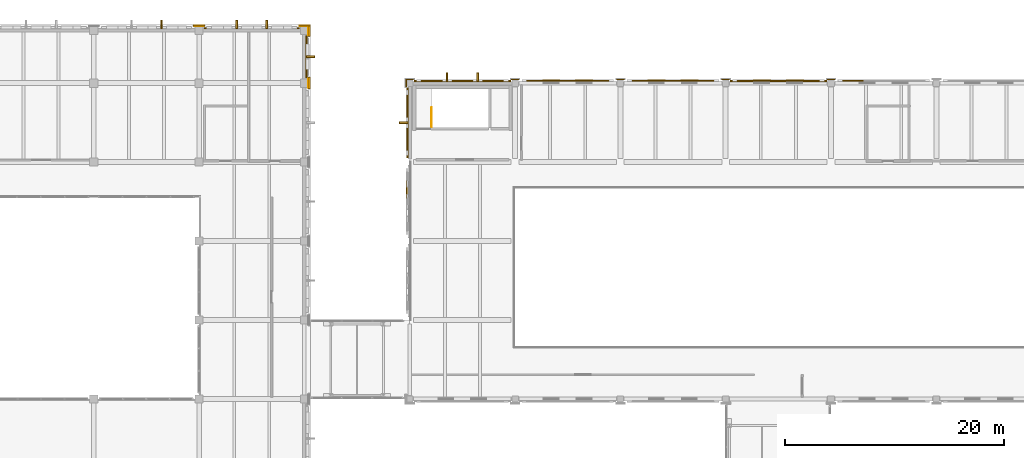
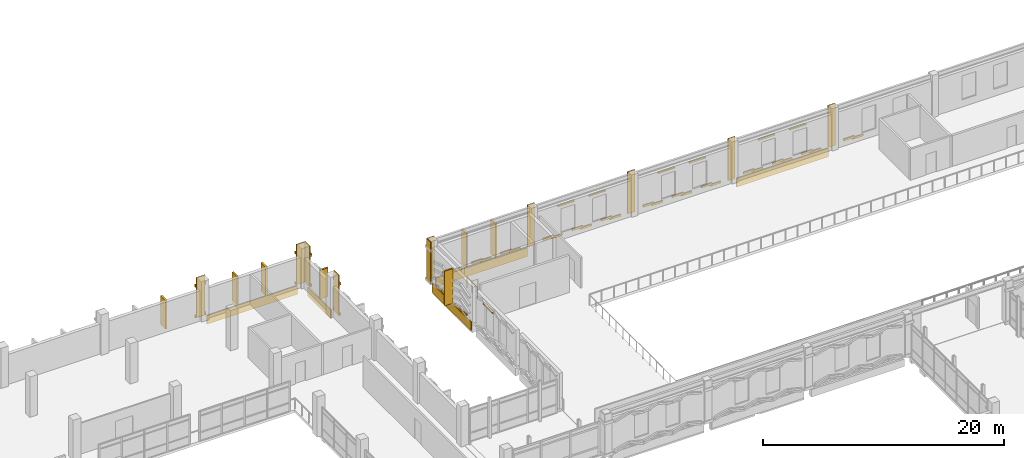
# One storey, part 175 of 180: 67 coverings, 1 railing.
"""IFC4 building model written with IfcOpenShell, lengths in metres."""

from ifc_helpers import new_model, si_unit, direction, frame, origin, origin_2d, place, context, subcontext, project, spatial, rectangle, circle, extrude, material, layer, layer_set, type_object, element, save


model = new_model("IFC4")

# Units and contexts
model_context = context("Model", 3, precision=1e-05, world=origin(), true_north=direction((0.0, 1.0)))
body_context = subcontext(model_context, "Body", "Model", "MODEL_VIEW")
ifc_project = project(units=[si_unit("LENGTHUNIT", "METRE"), si_unit("AREAUNIT", "SQUARE_METRE"), si_unit("VOLUMEUNIT", "CUBIC_METRE"), si_unit("PLANEANGLEUNIT", "RADIAN"), si_unit("MASSUNIT", "GRAM", prefix="KILO")], contexts=[model_context])

# Site, building, storey
site_placement = place(None, origin())
site = spatial("IfcSite", under=ifc_project, at=site_placement, CompositionType="ELEMENT")
building_placement = place(site_placement, origin())
building = spatial("IfcBuilding", under=site, at=building_placement, Name="Asteropetra Specialist Clinic", CompositionType="ELEMENT")
storey_placement = place(building_placement, frame((0.0, 0.0, 4.419921875)))
storey = spatial("IfcBuildingStorey", under=building, at=storey_placement, Name="L01", CompositionType="ELEMENT", Elevation=4.419921875)

# Coverings
ifc_material_1 = material(Name="Chevron terracotta deep", Category="masonry")
ifc_layer_1 = layer(ifc_material_1, 0.1201171875)
ifc_layer_set_1 = layer_set([ifc_layer_1], Name="Chevron terracotta deep")
covering_type_1 = type_object("IfcCoveringType", Name="CLD-TER-DEEP", PredefinedType="CLADDING", material=ifc_layer_set_1)
covering_1_placement = place(storey_placement, frame((91.199951171875, 105.800048828125, -0.7998046875), z_axis=(0.0, 0.0, 1.0), x_axis=(1.0, 0.0, 0.0)))
element("IfcCovering", 1, at=covering_1_placement, inside=storey, type_object=covering_type_1, Name="Chevron Spandrel Band CV-1212", PredefinedType="CLADDING", context=body_context, shape_type="SweptSolid", body=[
    extrude(rectangle(XDim=8.800048828125, YDim=0.1201171875, at=origin_2d()), origin(), (0.0, 0.0, 1.0), 0.8798828125),
])
for number, where, z_axis, x_axis, name in (
    (2, (94.398681640625, 105.81494140625, 0.1201171875), (0.0, 0.0, 1.0), (1.0, 0.0, 0.0), "Chevron Ceramic Band CV-1213"),
    (3, (93.57470703125, 105.81494140625, 0.26025390625), (0.0, 0.0, 1.0), (1.0, 0.0, 0.0), "Chevron Ceramic Band CV-1214"),
    (4, (91.612060546875, 105.81494140625, 0.1201171875), (0.0, 0.0, 1.0), (1.0, 0.0, 0.0), "Chevron Ceramic Band CV-1215"),
    (5, (90.7880859375, 105.81494140625, 0.26025390625), (0.0, 0.0, 1.0), (1.0, 0.0, 0.0), "Chevron Ceramic Band CV-1216"),
    (6, (88.8251953125, 105.81494140625, 0.1201171875), (0.0, 0.0, 1.0), (1.0, 0.0, 0.0), "Chevron Ceramic Band CV-1217"),
    (7, (88.001220703125, 105.81494140625, 0.26025390625), (0.0, 0.0, 1.0), (1.0, 0.0, 0.0), "Chevron Ceramic Band CV-1218"),
    (8, (103.998779296875, 105.81494140625, 0.1201171875), (0.0, 0.0, 1.0), (1.0, 0.0, 0.0), "Chevron Ceramic Band CV-1230"),
    (9, (103.1748046875, 105.81494140625, 0.26025390625), (0.0, 0.0, 1.0), (1.0, 0.0, 0.0), "Chevron Ceramic Band CV-1231"),
    (10, (101.2119140625, 105.81494140625, 0.1201171875), (0.0, 0.0, 1.0), (1.0, 0.0, 0.0), "Chevron Ceramic Band CV-1232"),
    (11, (100.387939453125, 105.81494140625, 0.26025390625), (0.0, 0.0, 1.0), (1.0, 0.0, 0.0), "Chevron Ceramic Band CV-1233"),
    (12, (98.42529296875, 105.81494140625, 0.1201171875), (0.0, 0.0, 1.0), (1.0, 0.0, 0.0), "Chevron Ceramic Band CV-1234"),
    (13, (97.601318359375, 105.81494140625, 0.26025390625), (0.0, 0.0, 1.0), (1.0, 0.0, 0.0), "Chevron Ceramic Band CV-1235"),
    (14, (113.5986328125, 105.81494140625, 0.1201171875), (0.0, 0.0, 1.0), (1.0, 0.0, 0.0), "Chevron Ceramic Band CV-1246"),
    (15, (112.774658203125, 105.81494140625, 0.26025390625), (0.0, 0.0, 1.0), (1.0, 0.0, 0.0), "Chevron Ceramic Band CV-1247"),
    (16, (110.81201171875, 105.81494140625, 0.1201171875), (0.0, 0.0, 1.0), (1.0, 0.0, 0.0), "Chevron Ceramic Band CV-1248"),
    (17, (109.988037109375, 105.81494140625, 0.26025390625), (0.0, 0.0, 1.0), (1.0, 0.0, 0.0), "Chevron Ceramic Band CV-1249"),
    (18, (108.025390625, 105.81494140625, 0.1201171875), (0.0, 0.0, 1.0), (1.0, 0.0, 0.0), "Chevron Ceramic Band CV-1250"),
    (19, (107.201416015625, 105.81494140625, 0.26025390625), (0.0, 0.0, 1.0), (1.0, 0.0, 0.0), "Chevron Ceramic Band CV-1251"),
):
    element("IfcCovering", number, at=place(storey_placement, frame(where, z_axis=z_axis, x_axis=x_axis)), inside=storey, type_object=covering_type_1, Name=name, PredefinedType="CLADDING", context=body_context, shape_type="SweptSolid", body=[
        extrude(rectangle(XDim=1.05908203125, YDim=0.1201171875, at=origin_2d()), origin(), (0.0, 0.0, 1.0), 0.199951171875),
    ])
covering_2_placement = place(storey_placement, frame((120.0, 105.800048828125, -0.7998046875), z_axis=(0.0, 0.0, 1.0), x_axis=(1.0, 0.0, 0.0)))
element("IfcCovering", 20, at=covering_2_placement, inside=storey, type_object=covering_type_1, Name="Chevron Spandrel Band CV-1254", PredefinedType="CLADDING", context=body_context, shape_type="SweptSolid", body=[
    extrude(rectangle(XDim=8.800048828125, YDim=0.1201171875, at=origin_2d()), origin(), (0.0, 0.0, 1.0), 0.8798828125),
])
for number, where, z_axis, x_axis, name in (
    (21, (123.19873046875, 105.81494140625, 0.1201171875), (0.0, 0.0, 1.0), (1.0, 0.0, 0.0), "Chevron Ceramic Band CV-1255"),
    (22, (122.374755859375, 105.81494140625, 0.26025390625), (0.0, 0.0, 1.0), (1.0, 0.0, 0.0), "Chevron Ceramic Band CV-1256"),
    (23, (120.412109375, 105.81494140625, 0.1201171875), (0.0, 0.0, 1.0), (1.0, 0.0, 0.0), "Chevron Ceramic Band CV-1257"),
    (24, (119.587890625, 105.81494140625, 0.26025390625), (0.0, 0.0, 1.0), (1.0, 0.0, 0.0), "Chevron Ceramic Band CV-1258"),
    (25, (117.625244140625, 105.81494140625, 0.1201171875), (0.0, 0.0, 1.0), (1.0, 0.0, 0.0), "Chevron Ceramic Band CV-1259"),
    (26, (116.80126953125, 105.81494140625, 0.26025390625), (0.0, 0.0, 1.0), (1.0, 0.0, 0.0), "Chevron Ceramic Band CV-1260"),
    (27, (127.225341796875, 105.81494140625, 0.1201171875), (0.0, 0.0, 1.0), (1.0, 0.0, 0.0), "Chevron Ceramic Band CV-1275"),
    (28, (126.4013671875, 105.81494140625, 0.26025390625), (0.0, 0.0, 1.0), (1.0, 0.0, 0.0), "Chevron Ceramic Band CV-1276"),
):
    element("IfcCovering", number, at=place(storey_placement, frame(where, z_axis=z_axis, x_axis=x_axis)), inside=storey, type_object=covering_type_1, Name=name, PredefinedType="CLADDING", context=body_context, shape_type="SweptSolid", body=[
        extrude(rectangle(XDim=1.05908203125, YDim=0.1201171875, at=origin_2d()), origin(), (0.0, 0.0, 1.0), 0.199951171875),
    ])
covering_3_placement = place(storey_placement, frame((86.199951171875, 101.989990234375, -0.7998046875), z_axis=(0.0, 0.0, 1.0), x_axis=(1.0, 0.0, 0.0)))
element("IfcCovering", 29, at=covering_3_placement, inside=storey, type_object=covering_type_1, Name="Chevron Spandrel Band CV-1349", PredefinedType="CLADDING", context=body_context, shape_type="SweptSolid", body=[
    extrude(rectangle(XDim=0.1201171875, YDim=6.419921875, at=origin_2d()), origin(), (0.0, 0.0, 1.0), 0.8798828125),
])
for number, where, z_axis, x_axis, name in (
    (30, (86.18505859375, 103.927490234375, 0.1201171875), (0.0, 0.0, 1.0), (1.0, 0.0, 0.0), "Chevron Ceramic Band CV-1350"),
    (31, (86.18505859375, 103.04248046875, 0.26025390625), (0.0, 0.0, 1.0), (1.0, 0.0, 0.0), "Chevron Ceramic Band CV-1351"),
    (32, (86.18505859375, 100.9375, 0.1201171875), (0.0, 0.0, 1.0), (1.0, 0.0, 0.0), "Chevron Ceramic Band CV-1352"),
    (33, (86.18505859375, 100.052490234375, 0.26025390625), (0.0, 0.0, 1.0), (1.0, 0.0, 0.0), "Chevron Ceramic Band CV-1353"),
):
    element("IfcCovering", number, at=place(storey_placement, frame(where, z_axis=z_axis, x_axis=x_axis)), inside=storey, type_object=covering_type_1, Name=name, PredefinedType="CLADDING", context=body_context, shape_type="SweptSolid", body=[
        extrude(rectangle(XDim=0.1201171875, YDim=1.135986328125, at=origin_2d()), origin(), (0.0, 0.0, 1.0), 0.199951171875),
    ])
covering_4_placement = place(storey_placement, frame((72.0, 110.60009765625, -0.7998046875), z_axis=(0.0, 0.0, 1.0), x_axis=(1.0, 0.0, 0.0)))
element("IfcCovering", 34, at=covering_4_placement, inside=storey, type_object=covering_type_1, Name="Chevron Spandrel Band CV-1417", PredefinedType="CLADDING", context=body_context, shape_type="SweptSolid", body=[
    extrude(rectangle(XDim=8.64990234375, YDim=0.1201171875, at=origin_2d()), origin(), (0.0, 0.0, 1.0), 0.8798828125),
])
covering_5_placement = place(storey_placement, frame((77.0, 108.0, -0.7998046875), z_axis=(0.0, 0.0, 1.0), x_axis=(1.0, 0.0, 0.0)))
element("IfcCovering", 35, at=covering_5_placement, inside=storey, type_object=covering_type_1, Name="Chevron Spandrel Band CV-1423", PredefinedType="CLADDING", context=body_context, shape_type="SweptSolid", body=[
    extrude(rectangle(XDim=0.1201171875, YDim=3.85009765625, at=origin_2d()), origin(), (0.0, 0.0, 1.0), 0.8798828125),
])
ifc_material_2 = material(Name="Pentelic marble ashlar", Category="masonry")
ifc_layer_2 = layer(ifc_material_2, 0.159912109375)
ifc_layer_set_2 = layer_set([ifc_layer_2], Name="Pentelic marble ashlar")
covering_type_2 = type_object("IfcCoveringType", Name="CRN-ENTAB-600", PredefinedType="MOLDING", material=ifc_layer_set_2)
covering_6_placement = place(storey_placement, frame((86.39990234375, 105.931884765625, 0.02001953125), z_axis=(0.0, 0.0, 1.0), x_axis=(1.0, 0.0, 0.0)))
element("IfcCovering", 36, at=covering_6_placement, inside=storey, type_object=covering_type_2, Name="Neoclassical Pilaster Facing CM-0181", PredefinedType="MOLDING", context=body_context, shape_type="SweptSolid", body=[
    extrude(rectangle(XDim=0.679931640625, YDim=0.080078125, at=origin_2d()), origin(), (0.0, 0.0, 1.0), 4.239990234375),
])
covering_7_placement = place(storey_placement, frame((86.068115234375, 105.60009765625, 0.02001953125), z_axis=(0.0, 0.0, 1.0), x_axis=(1.0, 0.0, 0.0)))
element("IfcCovering", 37, at=covering_7_placement, inside=storey, type_object=covering_type_2, Name="Neoclassical Pilaster Facing CM-0184", PredefinedType="MOLDING", context=body_context, shape_type="SweptSolid", body=[
    extrude(rectangle(XDim=0.080078125, YDim=0.679931640625, at=origin_2d()), origin(), (0.0, 0.0, 1.0), 4.239990234375),
])
for number, where, z_axis, x_axis, name in (
    (38, (96.0, 105.931884765625, 0.02001953125), (0.0, 0.0, 1.0), (1.0, 0.0, 0.0), "Neoclassical Pilaster Facing CM-0190"),
    (39, (105.60009765625, 105.931884765625, 0.02001953125), (0.0, 0.0, 1.0), (1.0, 0.0, 0.0), "Neoclassical Pilaster Facing CM-0196"),
    (40, (115.199951171875, 105.931884765625, 0.02001953125), (0.0, 0.0, 1.0), (1.0, 0.0, 0.0), "Neoclassical Pilaster Facing CM-0202"),
    (41, (124.800048828125, 105.931884765625, 0.02001953125), (0.0, 0.0, 1.0), (1.0, 0.0, 0.0), "Neoclassical Pilaster Facing CM-0208"),
):
    element("IfcCovering", number, at=place(storey_placement, frame(where, z_axis=z_axis, x_axis=x_axis)), inside=storey, type_object=covering_type_2, Name=name, PredefinedType="MOLDING", context=body_context, shape_type="SweptSolid", body=[
        extrude(rectangle(XDim=0.679931640625, YDim=0.080078125, at=origin_2d()), origin(), (0.0, 0.0, 1.0), 4.239990234375),
    ])
covering_8_placement = place(storey_placement, frame((67.199951171875, 110.806884765625, 0.02001953125), z_axis=(0.0, 0.0, 1.0), x_axis=(1.0, 0.0, 0.0)))
element("IfcCovering", 42, at=covering_8_placement, inside=storey, type_object=covering_type_2, Name="Neoclassical Pilaster Facing CM-0619", PredefinedType="MOLDING", context=body_context, shape_type="SweptSolid", body=[
    extrude(rectangle(XDim=0.830078125, YDim=0.080078125, at=origin_2d()), origin(), (0.0, 0.0, 1.0), 4.0400390625),
])
for number, where, z_axis, x_axis, name in (
    (43, (67.199951171875, 110.846923828125, 0.01025390625), (0.0, 0.0, 1.0), (1.0, 0.0, 0.0), "Doric Base CC-0620"),
    (44, (67.199951171875, 110.846923828125, 3.08984375), (0.0, 0.0, 1.0), (1.0, 0.0, 0.0), "Doric Capital CC-0621"),
):
    element("IfcCovering", number, at=place(storey_placement, frame(where, z_axis=z_axis, x_axis=x_axis)), inside=storey, type_object=covering_type_2, Name=name, PredefinedType="MOLDING", context=body_context, shape_type="SweptSolid", body=[
        extrude(rectangle(XDim=1.030029296875, YDim=0.159912109375, at=origin_2d()), origin(), (0.0, 0.0, 1.0), 0.260009765625),
    ])
covering_9_placement = place(storey_placement, frame((77.20703125, 105.60009765625, 0.02001953125), z_axis=(0.0, 0.0, 1.0), x_axis=(1.0, 0.0, 0.0)))
element("IfcCovering", 45, at=covering_9_placement, inside=storey, type_object=covering_type_2, Name="Neoclassical Pilaster Facing CM-0640", PredefinedType="MOLDING", context=body_context, shape_type="SweptSolid", body=[
    extrude(rectangle(XDim=0.080078125, YDim=0.830078125, at=origin_2d()), origin(), (0.0, 0.0, 1.0), 4.0400390625),
])
for number, where, z_axis, x_axis, name in (
    (46, (77.2470703125, 105.60009765625, 0.01025390625), (0.0, 0.0, 1.0), (1.0, 0.0, 0.0), "Doric Base CC-0641"),
    (47, (77.2470703125, 105.60009765625, 3.08984375), (0.0, 0.0, 1.0), (1.0, 0.0, 0.0), "Doric Capital CC-0642"),
):
    element("IfcCovering", number, at=place(storey_placement, frame(where, z_axis=z_axis, x_axis=x_axis)), inside=storey, type_object=covering_type_2, Name=name, PredefinedType="MOLDING", context=body_context, shape_type="SweptSolid", body=[
        extrude(rectangle(XDim=0.159912109375, YDim=1.030029296875, at=origin_2d()), origin(), (0.0, 0.0, 1.0), 0.260009765625),
    ])
covering_10_placement = place(storey_placement, frame((76.800048828125, 110.806884765625, 0.02001953125), z_axis=(0.0, 0.0, 1.0), x_axis=(1.0, 0.0, 0.0)))
element("IfcCovering", 48, at=covering_10_placement, inside=storey, type_object=covering_type_2, Name="Neoclassical Pilaster Facing CM-0643", PredefinedType="MOLDING", context=body_context, shape_type="SweptSolid", body=[
    extrude(rectangle(XDim=0.830078125, YDim=0.080078125, at=origin_2d()), origin(), (0.0, 0.0, 1.0), 4.0400390625),
])
for number, where, z_axis, x_axis, name in (
    (49, (76.800048828125, 110.846923828125, 0.01025390625), (0.0, 0.0, 1.0), (1.0, 0.0, 0.0), "Doric Base CC-0644"),
    (50, (76.800048828125, 110.846923828125, 3.08984375), (0.0, 0.0, 1.0), (1.0, 0.0, 0.0), "Doric Capital CC-0645"),
):
    element("IfcCovering", number, at=place(storey_placement, frame(where, z_axis=z_axis, x_axis=x_axis)), inside=storey, type_object=covering_type_2, Name=name, PredefinedType="MOLDING", context=body_context, shape_type="SweptSolid", body=[
        extrude(rectangle(XDim=1.030029296875, YDim=0.159912109375, at=origin_2d()), origin(), (0.0, 0.0, 1.0), 0.260009765625),
    ])
covering_11_placement = place(storey_placement, frame((77.20703125, 110.39990234375, 0.02001953125), z_axis=(0.0, 0.0, 1.0), x_axis=(1.0, 0.0, 0.0)))
element("IfcCovering", 51, at=covering_11_placement, inside=storey, type_object=covering_type_2, Name="Neoclassical Pilaster Facing CM-0646", PredefinedType="MOLDING", context=body_context, shape_type="SweptSolid", body=[
    extrude(rectangle(XDim=0.080078125, YDim=0.830078125, at=origin_2d()), origin(), (0.0, 0.0, 1.0), 4.0400390625),
])
for number, where, z_axis, x_axis, name in (
    (52, (77.2470703125, 110.39990234375, 0.01025390625), (0.0, 0.0, 1.0), (1.0, 0.0, 0.0), "Doric Base CC-0647"),
    (53, (77.2470703125, 110.39990234375, 3.08984375), (0.0, 0.0, 1.0), (1.0, 0.0, 0.0), "Doric Capital CC-0648"),
):
    element("IfcCovering", number, at=place(storey_placement, frame(where, z_axis=z_axis, x_axis=x_axis)), inside=storey, type_object=covering_type_2, Name=name, PredefinedType="MOLDING", context=body_context, shape_type="SweptSolid", body=[
        extrude(rectangle(XDim=0.159912109375, YDim=1.030029296875, at=origin_2d()), origin(), (0.0, 0.0, 1.0), 0.260009765625),
    ])
for number, where, z_axis, x_axis, name in (
    (54, (102.300048828125, 105.830078125, 3.14990234375), (0.0, 0.0, 1.0), (1.0, 0.0, 0.0), "Classical Window Hood WH-1228"),
    (55, (99.300048828125, 105.830078125, 3.14990234375), (0.0, 0.0, 1.0), (1.0, 0.0, 0.0), "Classical Window Hood WH-1229"),
    (56, (111.89990234375, 105.830078125, 3.14990234375), (0.0, 0.0, 1.0), (1.0, 0.0, 0.0), "Classical Window Hood WH-1244"),
    (57, (108.89990234375, 105.830078125, 3.14990234375), (0.0, 0.0, 1.0), (1.0, 0.0, 0.0), "Classical Window Hood WH-1245"),
    (58, (121.5, 105.830078125, 3.14990234375), (0.0, 0.0, 1.0), (1.0, 0.0, 0.0), "Classical Window Hood WH-1252"),
    (59, (118.5, 105.830078125, 3.14990234375), (0.0, 0.0, 1.0), (1.0, 0.0, 0.0), "Classical Window Hood WH-1253"),
):
    element("IfcCovering", number, at=place(storey_placement, frame(where, z_axis=z_axis, x_axis=x_axis)), inside=storey, type_object=covering_type_2, Name=name, PredefinedType="MOLDING", context=body_context, shape_type="SweptSolid", body=[
        extrude(rectangle(XDim=1.590087890625, YDim=0.159912109375, at=origin_2d()), origin(), (0.0, 0.0, 1.0), 0.139892578125),
    ])
covering_12_placement = place(storey_placement, frame((86.169921875, 95.90673828125, 3.14990234375), z_axis=(0.0, 0.0, 1.0), x_axis=(1.0, 0.0, 0.0)))
element("IfcCovering", 60, at=covering_12_placement, inside=storey, type_object=covering_type_2, Name="Classical Window Hood WH-1333", PredefinedType="MOLDING", context=body_context, shape_type="SweptSolid", body=[
    extrude(rectangle(XDim=0.159912109375, YDim=1.590087890625, at=origin_2d()), origin(), (0.0, 0.0, 1.0), 0.139892578125),
])
ifc_material_3 = material(Name="Pentelic marble solar fin", Category="masonry")
ifc_layer_3 = layer(ifc_material_3, 0.080078125)
ifc_layer_set_3 = layer_set([ifc_layer_3], Name="Pentelic marble solar fin")
covering_type_3 = type_object("IfcCoveringType", Name="FIN-SOLAR-800", PredefinedType="MOLDING", material=ifc_layer_set_3)
for number, where, z_axis, x_axis, name in (
    (61, (92.59326171875, 106.155029296875, 0.0703125), (0.0, 0.0, 1.0), (1.0, 0.0, 0.0), "Solar Shading Fin FN-0001"),
    (62, (89.806640625, 106.155029296875, 0.0703125), (0.0, 0.0, 1.0), (1.0, 0.0, 0.0), "Solar Shading Fin FN-0002"),
):
    element("IfcCovering", number, at=place(storey_placement, frame(where, z_axis=z_axis, x_axis=x_axis)), inside=storey, type_object=covering_type_3, Name=name, PredefinedType="MOLDING", context=body_context, shape_type="SweptSolid", body=[
        extrude(rectangle(XDim=0.159912109375, YDim=0.800048828125, at=origin_2d()), origin(), (0.0, 0.0, 1.0), 3.489990234375),
    ])
covering_13_placement = place(storey_placement, frame((85.844970703125, 101.989990234375, 0.0703125), z_axis=(0.0, 0.0, 1.0), x_axis=(1.0, 0.0, 0.0)))
element("IfcCovering", 63, at=covering_13_placement, inside=storey, type_object=covering_type_3, Name="Solar Shading Fin FN-0006", PredefinedType="MOLDING", context=body_context, shape_type="SweptSolid", body=[
    extrude(rectangle(XDim=0.800048828125, YDim=0.159912109375, at=origin_2d()), origin(), (0.0, 0.0, 1.0), 3.489990234375),
])
for number, where, z_axis, x_axis, name in (
    (64, (63.768310546875, 110.955078125, 0.0703125), (0.0, 0.0, 1.0), (1.0, 0.0, 0.0), "Solar Shading Fin FN-0030"),
    (65, (73.368408203125, 110.955078125, 0.0703125), (0.0, 0.0, 1.0), (1.0, 0.0, 0.0), "Solar Shading Fin FN-0034"),
    (66, (70.631591796875, 110.955078125, 0.0703125), (0.0, 0.0, 1.0), (1.0, 0.0, 0.0), "Solar Shading Fin FN-0035"),
):
    element("IfcCovering", number, at=place(storey_placement, frame(where, z_axis=z_axis, x_axis=x_axis)), inside=storey, type_object=covering_type_3, Name=name, PredefinedType="MOLDING", context=body_context, shape_type="SweptSolid", body=[
        extrude(rectangle(XDim=0.159912109375, YDim=0.800048828125, at=origin_2d()), origin(), (0.0, 0.0, 1.0), 2.909912109375),
    ])
covering_14_placement = place(storey_placement, frame((77.35498046875, 108.0, 0.0703125), z_axis=(0.0, 0.0, 1.0), x_axis=(1.0, 0.0, 0.0)))
element("IfcCovering", 67, at=covering_14_placement, inside=storey, type_object=covering_type_3, Name="Solar Shading Fin FN-0046", PredefinedType="MOLDING", context=body_context, shape_type="SweptSolid", body=[
    extrude(rectangle(XDim=0.800048828125, YDim=0.159912109375, at=origin_2d()), origin(), (0.0, 0.0, 1.0), 2.909912109375),
])

# Railing
ifc_material_4 = material(Name="Steel S355 and laminated glass guard", Category="steel")
railing_type = type_object("IfcRailingType", Name="GRD-INT-1120", PredefinedType="GUARDRAIL", material=ifc_material_4)
railing_placement = place(storey_placement, frame((88.39990234375, 101.580078125, 0.0)))
element("IfcRailing", 68, at=railing_placement, inside=storey, type_object=railing_type, Name="Stair Well Guard ST11-L00", PredefinedType="GUARDRAIL", context=body_context, shape_type="SweptSolid", body=[
    extrude(circle(Radius=0.02392578125, at=origin_2d()), frame((0.0, 0.0, 1.09619140625), z_axis=(0.0, 1.0, 0.0), x_axis=(-1.0, 0.0, 0.0)), (0.0, 0.0, 1.0), 1.780029296875),
    extrude(circle(Radius=0.02099609375, at=origin_2d()), origin(), (0.0, 0.0, 1.0), 1.072021484375),
    extrude(circle(Radius=0.02099609375, at=origin_2d()), frame((0.0, 0.89013671875, 0.0)), (0.0, 0.0, 1.0), 1.072021484375),
    extrude(circle(Radius=0.02099609375, at=origin_2d()), frame((0.0, 1.780029296875, 0.0)), (0.0, 0.0, 1.0), 1.072021484375),
])

save(model, "model.ifc")
